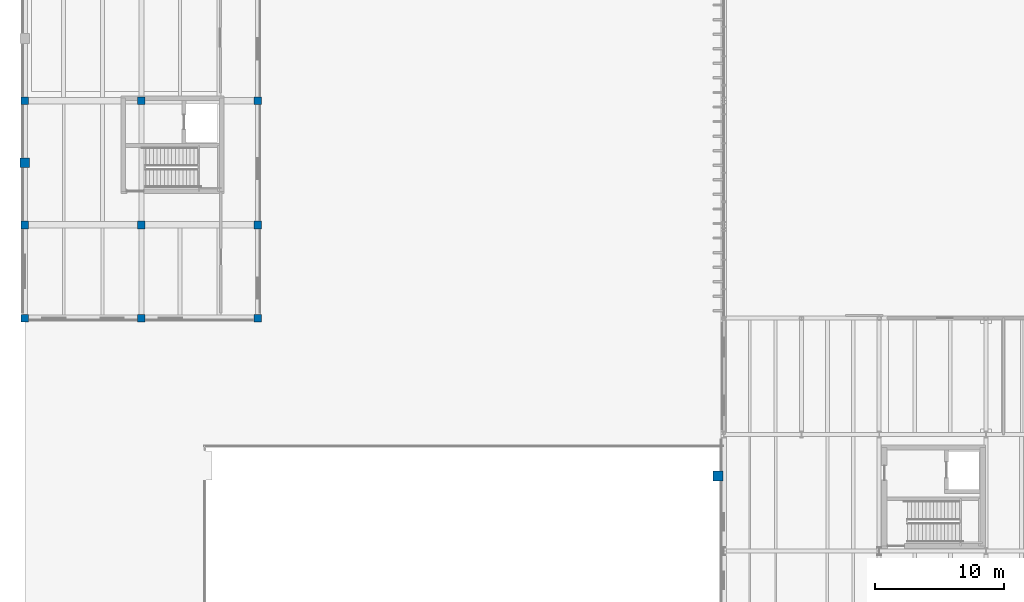
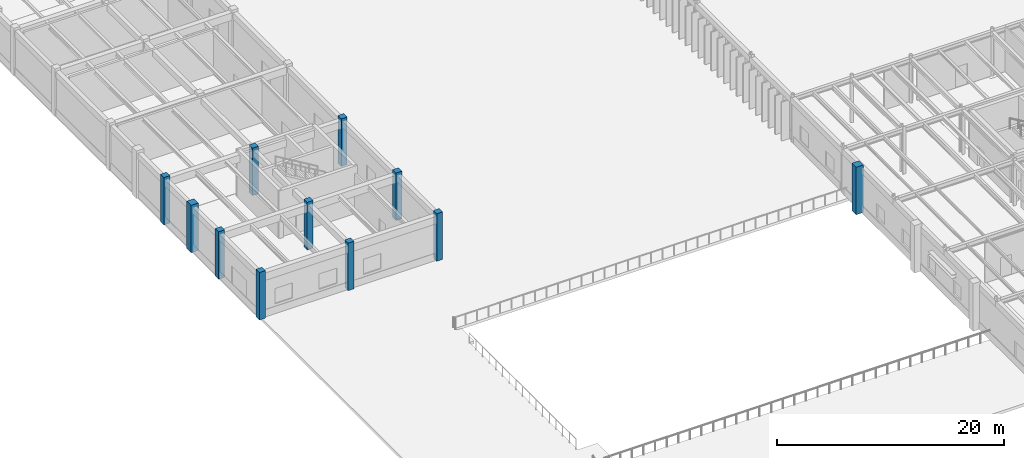
# One storey, part 2 of 64: 11 columns.
"""IFC4 building model written with IfcOpenShell, lengths in metres."""

from ifc_helpers import new_model, si_unit, direction, frame, origin, origin_2d, place, context, subcontext, project, spatial, rectangle, extrude, material, material_profile, profile_set, type_object, element, save


model = new_model("IFC4")

# Units and contexts
model_context = context("Model", 3, precision=1e-05, world=origin(), true_north=direction((0.0, 1.0)))
body_context = subcontext(model_context, "Body", "Model", "MODEL_VIEW")
ifc_project = project(units=[si_unit("LENGTHUNIT", "METRE"), si_unit("AREAUNIT", "SQUARE_METRE"), si_unit("VOLUMEUNIT", "CUBIC_METRE"), si_unit("PLANEANGLEUNIT", "RADIAN"), si_unit("MASSUNIT", "GRAM", prefix="KILO")], contexts=[model_context])

# Site, building, storey
site_placement = place(None, origin())
site = spatial("IfcSite", under=ifc_project, at=site_placement, CompositionType="ELEMENT")
building_placement = place(site_placement, origin())
building = spatial("IfcBuilding", under=site, at=building_placement, Name="Montealbar Specialist Clinic", CompositionType="ELEMENT")
storey_placement = place(building_placement, origin())
storey = spatial("IfcBuildingStorey", under=building, at=storey_placement, Name="L00", CompositionType="ELEMENT", Elevation=0.0)

# Columns
ifc_material_1 = material(Name="Concrete C35/45", Category="concrete")
ifc_material_profile_1 = material_profile(ifc_material_1, rectangle(XDim=0.60009765625, YDim=0.60009765625, at=origin_2d()), Name="RC 600x600", Category="concrete")
ifc_profile_set_1 = profile_set([ifc_material_profile_1], Name="Concrete C35/45")
column_type_1 = type_object("IfcColumnType", Name="COL-RC-L00", PredefinedType="COLUMN", material=ifc_profile_set_1)
for number, where, z_axis, x_axis, name in (
    (1, (9.0, 52.199951171875, 0.0), (0.0, 0.0, 1.0), (1.0, 0.0, 0.0), "Column 2/G L00"),
    (2, (9.0, 61.800048828125, 0.0), (0.0, 0.0, 1.0), (1.0, 0.0, 0.0), "Column 2/H L00"),
):
    element("IfcColumn", number, at=place(storey_placement, frame(where, z_axis=z_axis, x_axis=x_axis)), inside=storey, type_object=column_type_1, Name=name, PredefinedType="COLUMN", context=body_context, shape_type="SweptSolid", body=[
        extrude(rectangle(XDim=0.60009765625, YDim=0.60009765625, at=origin_2d()), origin(), (0.0, 0.0, 1.0), 5.10009765625),
    ])
ifc_material_profile_2 = material_profile(ifc_material_1, rectangle(XDim=0.60009765625, YDim=0.60009765625, at=origin_2d()), Name="RC 600x600", Category="concrete")
ifc_profile_set_2 = profile_set([ifc_material_profile_2], Name="Concrete C35/45")
column_type_2 = type_object("IfcColumnType", Name="COL-RC-L00-EXT", PredefinedType="COLUMN", material=ifc_profile_set_2)
for number, where, z_axis, x_axis, name in (
    (3, (0.0, 45.0, 0.0), (0.0, 0.0, 1.0), (1.0, 0.0, 0.0), "Column 1/F L00"),
    (4, (0.0, 52.199951171875, 0.0), (0.0, 0.0, 1.0), (1.0, 0.0, 0.0), "Column 1/G L00"),
    (5, (0.0, 61.800048828125, 0.0), (0.0, 0.0, 1.0), (1.0, 0.0, 0.0), "Column 1/H L00"),
    (6, (9.0, 45.0, 0.0), (0.0, 0.0, 1.0), (1.0, 0.0, 0.0), "Column 2/F L00"),
    (7, (18.0, 45.0, 0.0), (0.0, 0.0, 1.0), (1.0, 0.0, 0.0), "Column 3/F L00"),
    (8, (18.0, 52.199951171875, 0.0), (0.0, 0.0, 1.0), (1.0, 0.0, 0.0), "Column 3/G L00"),
    (9, (18.0, 61.800048828125, 0.0), (0.0, 0.0, 1.0), (1.0, 0.0, 0.0), "Column 3/H L00"),
):
    element("IfcColumn", number, at=place(storey_placement, frame(where, z_axis=z_axis, x_axis=x_axis)), inside=storey, type_object=column_type_2, Name=name, PredefinedType="COLUMN", context=body_context, shape_type="SweptSolid", body=[
        extrude(rectangle(XDim=0.60009765625, YDim=0.60009765625, at=origin_2d()), origin(), (0.0, 0.0, 1.0), 5.10009765625),
    ])
ifc_material_2 = material(Name="Guadarrama granite ashlar", Category="masonry")
ifc_material_profile_3 = material_profile(ifc_material_2, rectangle(XDim=0.75, YDim=0.75, at=origin_2d()), Name="GRANITE PILASTER 750x750", Category="masonry")
ifc_profile_set_3 = profile_set([ifc_material_profile_3], Name="Guadarrama granite ashlar")
column_type_3 = type_object("IfcColumnType", Name="PIL-PM-GIANT-EXT", PredefinedType="PILASTER", material=ifc_profile_set_3)
for number, where, z_axis, x_axis, name in (
    (10, (0.0, 57.0, 0.0), (0.0, 0.0, 1.0), (1.0, 0.0, 0.0), "Column WP1/GH L00"),
    (11, (53.550048828125, 32.800048828125, 0.0), (0.0, 0.0, 1.0), (1.0, 0.0, 0.0), "Column MP3/MC3 L00"),
):
    element("IfcColumn", number, at=place(storey_placement, frame(where, z_axis=z_axis, x_axis=x_axis)), inside=storey, type_object=column_type_3, Name=name, PredefinedType="PILASTER", context=body_context, shape_type="SweptSolid", body=[
        extrude(rectangle(XDim=0.75, YDim=0.75, at=origin_2d()), origin(), (0.0, 0.0, 1.0), 5.10009765625),
    ])

save(model, "model.ifc")
